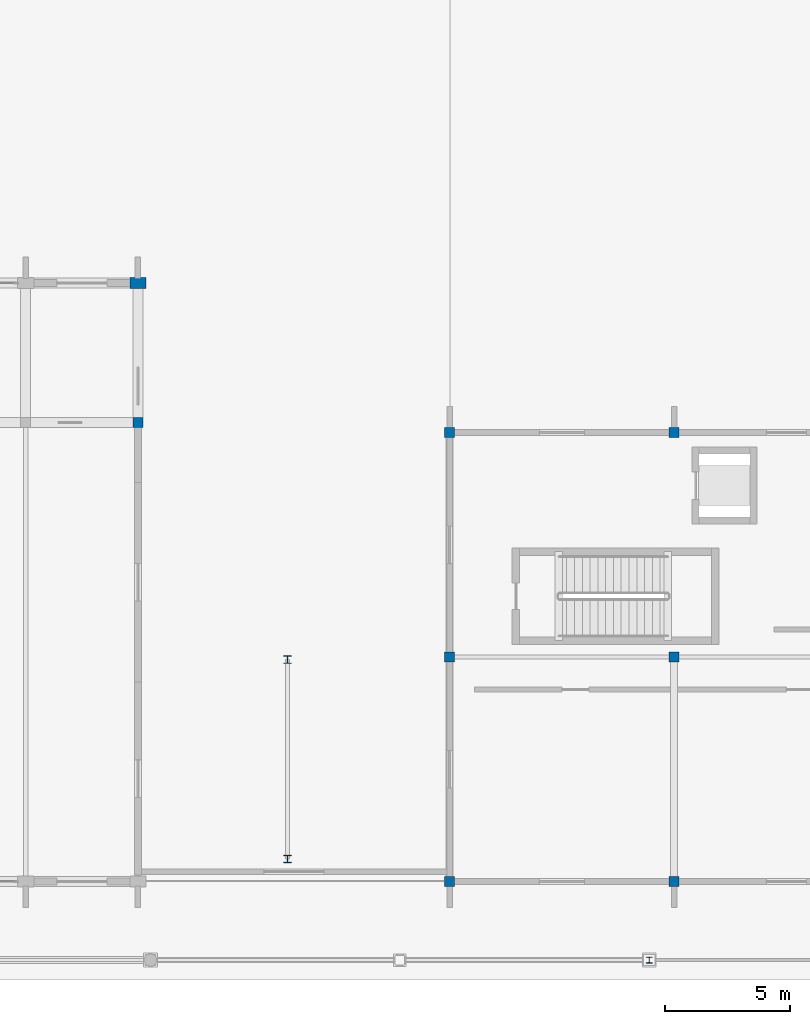
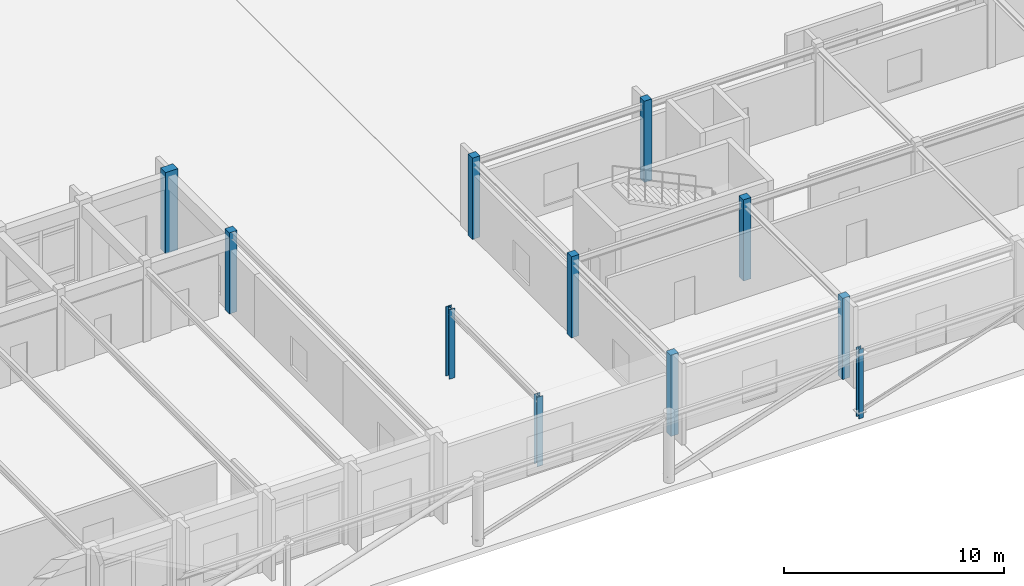
# One storey, part 5 of 61: 11 columns.
"""IFC4 building model written with IfcOpenShell, lengths in metres."""

from ifc_helpers import new_model, si_unit, direction, frame, origin, origin_2d, place, context, subcontext, project, spatial, rectangle, i_section, extrude, material, material_profile, profile_set, type_object, element, save


model = new_model("IFC4")

# Units and contexts
model_context = context("Model", 3, precision=1e-05, world=origin(), true_north=direction((0.0, 1.0)))
body_context = subcontext(model_context, "Body", "Model", "MODEL_VIEW")
ifc_project = project(units=[si_unit("LENGTHUNIT", "METRE"), si_unit("AREAUNIT", "SQUARE_METRE"), si_unit("VOLUMEUNIT", "CUBIC_METRE"), si_unit("PLANEANGLEUNIT", "RADIAN"), si_unit("MASSUNIT", "GRAM", prefix="KILO")], contexts=[model_context])

# Site, building, storey
site_placement = place(None, origin())
site = spatial("IfcSite", under=ifc_project, at=site_placement, CompositionType="ELEMENT")
building_placement = place(site_placement, origin())
building = spatial("IfcBuilding", under=site, at=building_placement, Name="Zimvara Arc Housing Community", CompositionType="ELEMENT")
storey_placement = place(building_placement, origin())
storey = spatial("IfcBuildingStorey", under=building, at=storey_placement, Name="L00", CompositionType="ELEMENT", Elevation=0.0)

# Columns
ifc_material_1 = material(Name="Concrete C40/50", Category="concrete")
ifc_material_profile_1 = material_profile(ifc_material_1, rectangle(XDim=0.39990234375, YDim=0.39990234375, at=origin_2d()), Name="RC 400x400")
ifc_profile_set_1 = profile_set([ifc_material_profile_1], Name="Concrete C40/50")
column_type_1 = type_object("IfcColumnType", Name="COL-RC-400x400", PredefinedType="COLUMN", material=ifc_profile_set_1)
for number, where, z_axis, x_axis, name in (
    (1, (99.5, 22.0, 0.0), (0.0, 0.0, 1.0), (1.0, 0.0, 0.0), "col:hall:L00:gal:x7"),
    (2, (112.0, 3.60009765625, 0.0), (0.0, 0.0, 1.0), (1.0, 0.0, 0.0), "col:nursery:L00:x0:y0"),
    (3, (112.0, 12.60009765625, 0.0), (0.0, 0.0, 1.0), (1.0, 0.0, 0.0), "col:nursery:L00:x0:y1"),
    (4, (112.0, 21.60009765625, 0.0), (0.0, 0.0, 1.0), (1.0, 0.0, 0.0), "col:nursery:L00:x0:y2"),
    (5, (121.0, 3.60009765625, 0.0), (0.0, 0.0, 1.0), (1.0, 0.0, 0.0), "col:nursery:L00:x1:y0"),
    (6, (121.0, 12.60009765625, 0.0), (0.0, 0.0, 1.0), (1.0, 0.0, 0.0), "col:nursery:L00:x1:y1"),
    (7, (121.0, 21.60009765625, 0.0), (0.0, 0.0, 1.0), (1.0, 0.0, 0.0), "col:nursery:L00:x1:y2"),
):
    element("IfcColumn", number, at=place(storey_placement, frame(where, z_axis=z_axis, x_axis=x_axis)), inside=storey, type_object=column_type_1, Name=name, PredefinedType="COLUMN", context=body_context, shape_type="SweptSolid", body=[
        extrude(rectangle(XDim=0.39990234375, YDim=0.39990234375, at=origin_2d()), origin(), (0.0, 0.0, 1.0), 4.5),
    ])
ifc_material_2 = material(Name="Concrete C40/50", Category="concrete")
ifc_material_profile_2 = material_profile(ifc_material_2, rectangle(XDim=0.449951171875, YDim=0.64990234375, at=origin_2d()), Name="RC 450x650")
ifc_profile_set_2 = profile_set([ifc_material_profile_2], Name="Concrete C40/50")
column_type_2 = type_object("IfcColumnType", Name="COL-RC-450x650", PredefinedType="COLUMN", material=ifc_profile_set_2)
column_1_placement = place(storey_placement, frame((99.5, 27.60009765625, 0.0), z_axis=(0.0, 0.0, 1.0), x_axis=(0.0, 1.0, 0.0)))
element("IfcColumn", 8, at=column_1_placement, inside=storey, type_object=column_type_2, Name="col:hall:L00:x7:y1", PredefinedType="COLUMN", context=body_context, shape_type="SweptSolid", body=[
    extrude(rectangle(XDim=0.449951171875, YDim=0.64990234375, at=origin_2d()), origin(), (0.0, 0.0, 1.0), 4.5),
])
ifc_material_3 = material(Name="Steel S355", Category="steel")
ifc_material_profile_3 = material_profile(ifc_material_3, i_section(OverallWidth=0.300048828125, OverallDepth=0.31005859375, WebThickness=0.009033203125, FlangeThickness=0.015380859375, FilletRadius=0.027099609375, at=origin_2d()), Name="HEA 320")
ifc_profile_set_3 = profile_set([ifc_material_profile_3], Name="Steel S355")
column_type_3 = type_object("IfcColumnType", Name="COL-ST-HEA320", PredefinedType="COLUMN", material=ifc_profile_set_3)
column_2_placement = place(storey_placement, frame((105.5, 12.5, 0.0), z_axis=(0.0, 0.0, 1.0), x_axis=(1.0, 0.0, 0.0)))
element("IfcColumn", 9, at=column_2_placement, inside=storey, type_object=column_type_3, Name="col:portal:L00:corepad:2", PredefinedType="COLUMN", context=body_context, shape_type="SweptSolid", body=[
    extrude(i_section(OverallWidth=0.300048828125, OverallDepth=0.31005859375, WebThickness=0.009033203125, FlangeThickness=0.015380859375, FilletRadius=0.027099609375, at=origin_2d()), origin(), (0.0, 0.0, 1.0), 3.85009765625),
])
ifc_material_4 = material(Name="Steel S355", Category="steel")
ifc_material_profile_4 = material_profile(ifc_material_4, i_section(OverallWidth=0.239990234375, OverallDepth=0.239990234375, WebThickness=0.010009765625, FlangeThickness=0.01708984375, FilletRadius=0.02099609375, at=origin_2d()), Name="HEB 240")
ifc_profile_set_4 = profile_set([ifc_material_profile_4], Name="Steel S355")
column_type_4 = type_object("IfcColumnType", Name="COL-ST-HEB240", PredefinedType="COLUMN", material=ifc_profile_set_4)
column_3_placement = place(storey_placement, frame((120.0, 0.449951171875, 0.0), z_axis=(0.0, 0.0, 1.0), x_axis=(1.0, 0.0, 0.0)))
element("IfcColumn", 10, at=column_3_placement, inside=storey, type_object=column_type_4, Name="col:colonnade:L00:12", PredefinedType="COLUMN", context=body_context, shape_type="SweptSolid", body=[
    extrude(i_section(OverallWidth=0.239990234375, OverallDepth=0.239990234375, WebThickness=0.010009765625, FlangeThickness=0.01708984375, FilletRadius=0.02099609375, at=origin_2d()), origin(), (0.0, 0.0, 1.0), 3.85009765625),
])
ifc_material_5 = material(Name="Steel S355", Category="steel")
ifc_material_profile_5 = material_profile(ifc_material_5, i_section(OverallWidth=0.300048828125, OverallDepth=0.300048828125, WebThickness=0.010986328125, FlangeThickness=0.01904296875, FilletRadius=0.027099609375, at=origin_2d()), Name="HEB 300")
ifc_profile_set_5 = profile_set([ifc_material_profile_5], Name="Steel S355")
column_type_5 = type_object("IfcColumnType", Name="COL-ST-HEB300", PredefinedType="COLUMN", material=ifc_profile_set_5)
column_4_placement = place(storey_placement, frame((105.5, 4.5, 0.0), z_axis=(0.0, 0.0, 1.0), x_axis=(1.0, 0.0, 0.0)))
element("IfcColumn", 11, at=column_4_placement, inside=storey, type_object=column_type_5, Name="col:portal:L00:portal:e", PredefinedType="COLUMN", context=body_context, shape_type="SweptSolid", body=[
    extrude(i_section(OverallWidth=0.300048828125, OverallDepth=0.300048828125, WebThickness=0.010986328125, FlangeThickness=0.01904296875, FilletRadius=0.027099609375, at=origin_2d()), origin(), (0.0, 0.0, 1.0), 3.85009765625),
])

save(model, "model.ifc")
